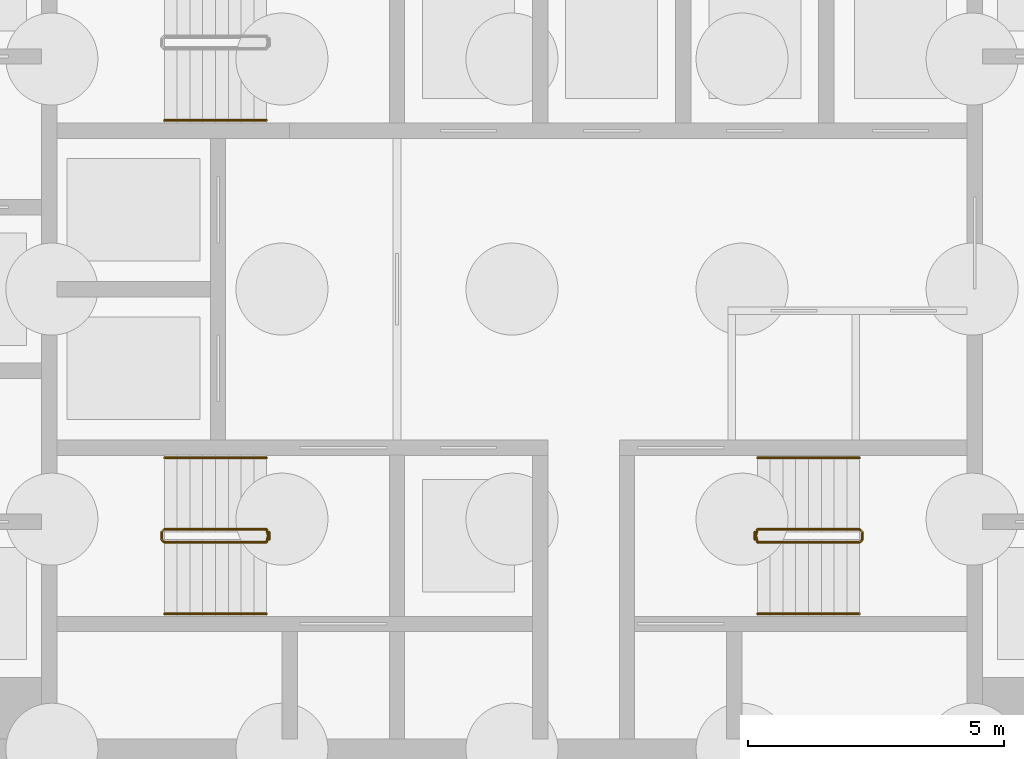
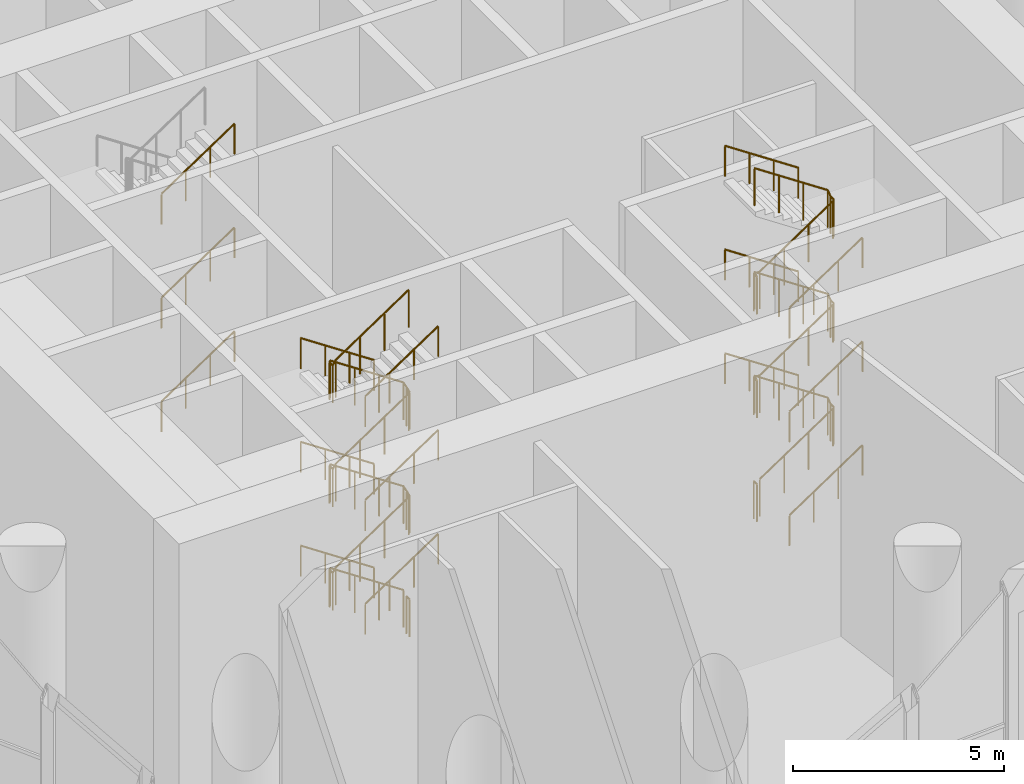
# One storey, part 18 of 20: 19 railings.
"""IFC4 building model written with IfcOpenShell, lengths in metres."""

from ifc_helpers import new_model, si_unit, direction, frame, origin, origin_2d, place, context, subcontext, project, spatial, circle, extrude, material, type_object, element, save


model = new_model("IFC4")

# Units and contexts
model_context = context("Model", 3, precision=1e-05, world=origin(), true_north=direction((0.0, 1.0)))
body_context = subcontext(model_context, "Body", "Model", "MODEL_VIEW")
ifc_project = project(units=[si_unit("LENGTHUNIT", "METRE"), si_unit("AREAUNIT", "SQUARE_METRE"), si_unit("VOLUMEUNIT", "CUBIC_METRE"), si_unit("PLANEANGLEUNIT", "RADIAN"), si_unit("MASSUNIT", "GRAM", prefix="KILO")], contexts=[model_context])

# Site, building, storey
site_placement = place(None, origin())
site = spatial("IfcSite", under=ifc_project, at=site_placement, CompositionType="ELEMENT")
building_placement = place(site_placement, origin())
building = spatial("IfcBuilding", under=site, at=building_placement, Name="Tracery Tower", CompositionType="ELEMENT")
storey_placement = place(building_placement, origin())
storey = spatial("IfcBuildingStorey", under=building, at=storey_placement, Name="L00", CompositionType="ELEMENT", Elevation=0.0)

# Railings
ifc_material_1 = material(Name="Stainless steel and laminated glass", Category="steel")
railing_type_1 = type_object("IfcRailingType", Name="Stair guard 1100", PredefinedType="GUARDRAIL", material=ifc_material_1)
railing_1_placement = place(storey_placement, frame((-4.800048828125, -4.699951171875, 0.166748046875)))
element("IfcRailing", 1, at=railing_1_placement, inside=storey, type_object=railing_type_1, Name="L00 stair ST1 guard 1", PredefinedType="GUARDRAIL", context=body_context, shape_type="SweptSolid", body=[
    extrude(circle(Radius=0.02392578125, at=origin_2d()), frame((0.0, 0.0, 1.076171875), z_axis=(-0.832065920246, 0.0, 0.554676756648), x_axis=(0.0, -1.0, 0.0)), (0.0, 0.0, 1.0), 2.403564453125),
    extrude(circle(Radius=0.02392578125, at=origin_2d()), frame((-2.0, 0.0, 2.4091796875), z_axis=(-0.707106781187, -0.707106781187, 0.0), x_axis=(0.707106781187, -0.707106781187, 0.0)), (0.0, 0.0, 1.0), 0.07080078125),
    extrude(circle(Radius=0.02392578125, at=origin_2d()), frame((-2.050048828125, -0.050048828125, 2.4091796875), z_axis=(0.0, -1.0, 0.0), x_axis=(1.0, 0.0, 0.0)), (0.0, 0.0, 1.0), 0.14990234375),
    extrude(circle(Radius=0.02392578125, at=origin_2d()), frame((-2.050048828125, -0.199951171875, 2.4091796875), z_axis=(0.27628659633, -0.27628659633, 0.920506074601), x_axis=(0.707106781187, 0.707106781187, 0.0)), (0.0, 0.0, 1.0), 0.18115234375),
    extrude(circle(Radius=0.02392578125, at=origin_2d()), frame((-2.0, -0.25, 2.576171875), z_axis=(0.832065920246, 0.0, 0.554676756648), x_axis=(0.0, 1.0, 0.0)), (0.0, 0.0, 1.0), 2.403564453125),
    extrude(circle(Radius=0.02392578125, at=origin_2d()), frame((0.0, -0.25, 3.9091796875), z_axis=(0.242814311512, 0.970072785993, 0.0), x_axis=(-0.970072785993, 0.242814311512, 0.0)), (0.0, 0.0, 1.0), 0.2060546875),
    extrude(circle(Radius=0.02392578125, at=origin_2d()), frame((0.050048828125, -0.050048828125, 3.9091796875), z_axis=(0.0, -1.0, 0.0), x_axis=(1.0, 0.0, 0.0)), (0.0, 0.0, 1.0), 0.14990234375),
    extrude(circle(Radius=0.02392578125, at=origin_2d()), frame((0.050048828125, -0.199951171875, 3.9091796875), z_axis=(-0.188775798145, 0.754182335027, 0.628945707965), x_axis=(-0.970072785993, -0.242814311512, 0.0)), (0.0, 0.0, 1.0), 0.26513671875),
    extrude(circle(Radius=0.02392578125, at=origin_2d()), frame((0.0, 0.0, 4.076171875), z_axis=(-0.832065920246, 0.0, 0.554676756648), x_axis=(0.0, -1.0, 0.0)), (0.0, 0.0, 1.0), 2.403564453125),
    extrude(circle(Radius=0.02392578125, at=origin_2d()), frame((-2.0, 0.0, 5.4091796875), z_axis=(-0.707106781187, -0.707106781187, 0.0), x_axis=(0.707106781187, -0.707106781187, 0.0)), (0.0, 0.0, 1.0), 0.07080078125),
    extrude(circle(Radius=0.02392578125, at=origin_2d()), frame((-2.050048828125, -0.050048828125, 5.4091796875), z_axis=(0.0, -1.0, 0.0), x_axis=(1.0, 0.0, 0.0)), (0.0, 0.0, 1.0), 0.14990234375),
    extrude(circle(Radius=0.02392578125, at=origin_2d()), frame((-2.050048828125, -0.199951171875, 5.4091796875), z_axis=(0.27628659633, -0.27628659633, 0.920506074601), x_axis=(0.707106781187, 0.707106781187, 0.0)), (0.0, 0.0, 1.0), 0.18115234375),
    extrude(circle(Radius=0.02392578125, at=origin_2d()), frame((-2.0, -0.25, 5.576171875), z_axis=(0.832065920246, 0.0, 0.554676756648), x_axis=(0.0, 1.0, 0.0)), (0.0, 0.0, 1.0), 2.403564453125),
    extrude(circle(Radius=0.02392578125, at=origin_2d()), frame((0.0, -0.25, 6.9091796875), z_axis=(0.242814311512, 0.970072785993, 0.0), x_axis=(-0.970072785993, 0.242814311512, 0.0)), (0.0, 0.0, 1.0), 0.2060546875),
    extrude(circle(Radius=0.02392578125, at=origin_2d()), frame((0.050048828125, -0.050048828125, 6.9091796875), z_axis=(0.0, -1.0, 0.0), x_axis=(1.0, 0.0, 0.0)), (0.0, 0.0, 1.0), 0.14990234375),
    extrude(circle(Radius=0.02392578125, at=origin_2d()), frame((0.050048828125, -0.199951171875, 6.9091796875), z_axis=(-0.188775798145, 0.754182335027, 0.628945707965), x_axis=(-0.970072785993, -0.242814311512, 0.0)), (0.0, 0.0, 1.0), 0.26513671875),
    extrude(circle(Radius=0.02392578125, at=origin_2d()), frame((0.0, 0.0, 7.076171875), z_axis=(-0.832065920246, 0.0, 0.554676756648), x_axis=(0.0, -1.0, 0.0)), (0.0, 0.0, 1.0), 2.403564453125),
    extrude(circle(Radius=0.02392578125, at=origin_2d()), frame((-2.0, 0.0, 8.4091796875), z_axis=(-0.707106781187, -0.707106781187, 0.0), x_axis=(0.707106781187, -0.707106781187, 0.0)), (0.0, 0.0, 1.0), 0.07080078125),
    extrude(circle(Radius=0.02392578125, at=origin_2d()), frame((-2.050048828125, -0.050048828125, 8.4091796875), z_axis=(0.0, -1.0, 0.0), x_axis=(1.0, 0.0, 0.0)), (0.0, 0.0, 1.0), 0.14990234375),
    extrude(circle(Radius=0.02392578125, at=origin_2d()), frame((-2.050048828125, -0.199951171875, 8.4091796875), z_axis=(0.27628659633, -0.27628659633, 0.920506074601), x_axis=(0.707106781187, 0.707106781187, 0.0)), (0.0, 0.0, 1.0), 0.18115234375),
    extrude(circle(Radius=0.02392578125, at=origin_2d()), frame((-2.0, -0.25, 8.576171875), z_axis=(0.832065920246, 0.0, 0.554676756648), x_axis=(0.0, 1.0, 0.0)), (0.0, 0.0, 1.0), 2.403564453125),
    extrude(circle(Radius=0.02099609375, at=origin_2d()), origin(), (0.0, 0.0, 1.0), 1.052001953125),
    extrude(circle(Radius=0.02099609375, at=origin_2d()), frame((-0.666748046875, 0.0, 0.4443359375)), (0.0, 0.0, 1.0), 1.052001953125),
    extrude(circle(Radius=0.02099609375, at=origin_2d()), frame((-1.333251953125, 0.0, 0.888916015625)), (0.0, 0.0, 1.0), 1.052001953125),
    extrude(circle(Radius=0.02099609375, at=origin_2d()), frame((-2.0, 0.0, 1.333251953125)), (0.0, 0.0, 1.0), 1.052001953125),
    extrude(circle(Radius=0.02099609375, at=origin_2d()), frame((-2.050048828125, -0.050048828125, 1.333251953125)), (0.0, 0.0, 1.0), 1.052001953125),
    extrude(circle(Radius=0.02099609375, at=origin_2d()), frame((-2.050048828125, -0.199951171875, 1.333251953125)), (0.0, 0.0, 1.0), 1.052001953125),
    extrude(circle(Radius=0.02099609375, at=origin_2d()), frame((-2.0, -0.25, 1.5)), (0.0, 0.0, 1.0), 1.052001953125),
    extrude(circle(Radius=0.02099609375, at=origin_2d()), frame((-1.333251953125, -0.25, 1.9443359375)), (0.0, 0.0, 1.0), 1.052001953125),
    extrude(circle(Radius=0.02099609375, at=origin_2d()), frame((-0.666748046875, -0.25, 2.388916015625)), (0.0, 0.0, 1.0), 1.052001953125),
    extrude(circle(Radius=0.02099609375, at=origin_2d()), frame((0.0, -0.25, 2.833251953125)), (0.0, 0.0, 1.0), 1.052001953125),
    extrude(circle(Radius=0.02099609375, at=origin_2d()), frame((0.050048828125, -0.050048828125, 2.833251953125)), (0.0, 0.0, 1.0), 1.052001953125),
    extrude(circle(Radius=0.02099609375, at=origin_2d()), frame((0.050048828125, -0.199951171875, 2.833251953125)), (0.0, 0.0, 1.0), 1.052001953125),
    extrude(circle(Radius=0.02099609375, at=origin_2d()), frame((0.0, 0.0, 3.0)), (0.0, 0.0, 1.0), 1.052001953125),
    extrude(circle(Radius=0.02099609375, at=origin_2d()), frame((-0.666748046875, 0.0, 3.4443359375)), (0.0, 0.0, 1.0), 1.052001953125),
    extrude(circle(Radius=0.02099609375, at=origin_2d()), frame((-1.333251953125, 0.0, 3.888916015625)), (0.0, 0.0, 1.0), 1.052001953125),
    extrude(circle(Radius=0.02099609375, at=origin_2d()), frame((-2.0, 0.0, 4.333251953125)), (0.0, 0.0, 1.0), 1.052001953125),
    extrude(circle(Radius=0.02099609375, at=origin_2d()), frame((-2.050048828125, -0.050048828125, 4.333251953125)), (0.0, 0.0, 1.0), 1.052001953125),
    extrude(circle(Radius=0.02099609375, at=origin_2d()), frame((-2.050048828125, -0.199951171875, 4.333251953125)), (0.0, 0.0, 1.0), 1.052001953125),
    extrude(circle(Radius=0.02099609375, at=origin_2d()), frame((-2.0, -0.25, 4.5)), (0.0, 0.0, 1.0), 1.052001953125),
    extrude(circle(Radius=0.02099609375, at=origin_2d()), frame((-1.333251953125, -0.25, 4.9443359375)), (0.0, 0.0, 1.0), 1.052001953125),
    extrude(circle(Radius=0.02099609375, at=origin_2d()), frame((-0.666748046875, -0.25, 5.388916015625)), (0.0, 0.0, 1.0), 1.052001953125),
    extrude(circle(Radius=0.02099609375, at=origin_2d()), frame((0.0, -0.25, 5.833251953125)), (0.0, 0.0, 1.0), 1.052001953125),
    extrude(circle(Radius=0.02099609375, at=origin_2d()), frame((0.050048828125, -0.050048828125, 5.833251953125)), (0.0, 0.0, 1.0), 1.052001953125),
    extrude(circle(Radius=0.02099609375, at=origin_2d()), frame((0.050048828125, -0.199951171875, 5.833251953125)), (0.0, 0.0, 1.0), 1.052001953125),
    extrude(circle(Radius=0.02099609375, at=origin_2d()), frame((0.0, 0.0, 6.0)), (0.0, 0.0, 1.0), 1.052001953125),
    extrude(circle(Radius=0.02099609375, at=origin_2d()), frame((-0.666748046875, 0.0, 6.4443359375)), (0.0, 0.0, 1.0), 1.052001953125),
    extrude(circle(Radius=0.02099609375, at=origin_2d()), frame((-1.333251953125, 0.0, 6.888916015625)), (0.0, 0.0, 1.0), 1.052001953125),
    extrude(circle(Radius=0.02099609375, at=origin_2d()), frame((-2.0, 0.0, 7.333251953125)), (0.0, 0.0, 1.0), 1.052001953125),
    extrude(circle(Radius=0.02099609375, at=origin_2d()), frame((-2.050048828125, -0.050048828125, 7.333251953125)), (0.0, 0.0, 1.0), 1.052001953125),
    extrude(circle(Radius=0.02099609375, at=origin_2d()), frame((-2.050048828125, -0.199951171875, 7.333251953125)), (0.0, 0.0, 1.0), 1.052001953125),
    extrude(circle(Radius=0.02099609375, at=origin_2d()), frame((-2.0, -0.25, 7.5)), (0.0, 0.0, 1.0), 1.052001953125),
    extrude(circle(Radius=0.02099609375, at=origin_2d()), frame((-1.333251953125, -0.25, 7.9443359375)), (0.0, 0.0, 1.0), 1.052001953125),
    extrude(circle(Radius=0.02099609375, at=origin_2d()), frame((-0.666748046875, -0.25, 8.388916015625)), (0.0, 0.0, 1.0), 1.052001953125),
    extrude(circle(Radius=0.02099609375, at=origin_2d()), frame((0.0, -0.25, 8.833251953125)), (0.0, 0.0, 1.0), 1.052001953125),
])
railing_2_placement = place(storey_placement, frame((-4.75, -4.75, 0.0)))
element("IfcRailing", 2, at=railing_2_placement, inside=storey, type_object=railing_type_1, Name="L00 stair ST1 guard 2", PredefinedType="GUARDRAIL", context=body_context, shape_type="SweptSolid", body=[
    extrude(circle(Radius=0.02392578125, at=origin_2d()), frame((0.0, 0.0, 1.076171875), z_axis=(0.0, -1.0, 0.0), x_axis=(1.0, 0.0, 0.0)), (0.0, 0.0, 1.0), 0.14990234375),
    extrude(circle(Radius=0.02099609375, at=origin_2d()), origin(), (0.0, 0.0, 1.0), 1.052001953125),
    extrude(circle(Radius=0.02099609375, at=origin_2d()), frame((0.0, -0.14990234375, 0.0)), (0.0, 0.0, 1.0), 1.052001953125),
])
railing_3_placement = place(storey_placement, frame((4.800048828125, -4.949951171875, 0.166748046875)))
element("IfcRailing", 3, at=railing_3_placement, inside=storey, type_object=railing_type_1, Name="L00 stair ST2 guard 1", PredefinedType="GUARDRAIL", context=body_context, shape_type="SweptSolid", body=[
    extrude(circle(Radius=0.02392578125, at=origin_2d()), frame((0.0, 0.0, 1.076171875), z_axis=(0.832065920246, 0.0, 0.554676756648), x_axis=(0.0, 1.0, 0.0)), (0.0, 0.0, 1.0), 2.403564453125),
    extrude(circle(Radius=0.02392578125, at=origin_2d()), frame((2.0, 0.0, 2.4091796875), z_axis=(0.707106781187, 0.707106781187, 0.0), x_axis=(-0.707106781187, 0.707106781187, 0.0)), (0.0, 0.0, 1.0), 0.07080078125),
    extrude(circle(Radius=0.02392578125, at=origin_2d()), frame((2.050048828125, 0.050048828125, 2.4091796875), z_axis=(0.0, 1.0, 0.0), x_axis=(-1.0, 0.0, 0.0)), (0.0, 0.0, 1.0), 0.14990234375),
    extrude(circle(Radius=0.02392578125, at=origin_2d()), frame((2.050048828125, 0.199951171875, 2.4091796875), z_axis=(-0.27628659633, 0.27628659633, 0.920506074601), x_axis=(-0.707106781187, -0.707106781187, 0.0)), (0.0, 0.0, 1.0), 0.18115234375),
    extrude(circle(Radius=0.02392578125, at=origin_2d()), frame((2.0, 0.25, 2.576171875), z_axis=(-0.832065920246, 0.0, 0.554676756648), x_axis=(0.0, -1.0, 0.0)), (0.0, 0.0, 1.0), 2.403564453125),
    extrude(circle(Radius=0.02392578125, at=origin_2d()), frame((0.0, 0.25, 3.9091796875), z_axis=(-0.242814311512, -0.970072785993, 0.0), x_axis=(0.970072785993, -0.242814311512, 0.0)), (0.0, 0.0, 1.0), 0.2060546875),
    extrude(circle(Radius=0.02392578125, at=origin_2d()), frame((-0.050048828125, 0.050048828125, 3.9091796875), z_axis=(0.0, 1.0, 0.0), x_axis=(-1.0, 0.0, 0.0)), (0.0, 0.0, 1.0), 0.14990234375),
    extrude(circle(Radius=0.02392578125, at=origin_2d()), frame((-0.050048828125, 0.199951171875, 3.9091796875), z_axis=(0.188775798145, -0.754182335027, 0.628945707965), x_axis=(0.970072785993, 0.242814311512, 0.0)), (0.0, 0.0, 1.0), 0.26513671875),
    extrude(circle(Radius=0.02392578125, at=origin_2d()), frame((0.0, 0.0, 4.076171875), z_axis=(0.832065920246, 0.0, 0.554676756648), x_axis=(0.0, 1.0, 0.0)), (0.0, 0.0, 1.0), 2.403564453125),
    extrude(circle(Radius=0.02392578125, at=origin_2d()), frame((2.0, 0.0, 5.4091796875), z_axis=(0.707106781187, 0.707106781187, 0.0), x_axis=(-0.707106781187, 0.707106781187, 0.0)), (0.0, 0.0, 1.0), 0.07080078125),
    extrude(circle(Radius=0.02392578125, at=origin_2d()), frame((2.050048828125, 0.050048828125, 5.4091796875), z_axis=(0.0, 1.0, 0.0), x_axis=(-1.0, 0.0, 0.0)), (0.0, 0.0, 1.0), 0.14990234375),
    extrude(circle(Radius=0.02392578125, at=origin_2d()), frame((2.050048828125, 0.199951171875, 5.4091796875), z_axis=(-0.27628659633, 0.27628659633, 0.920506074601), x_axis=(-0.707106781187, -0.707106781187, 0.0)), (0.0, 0.0, 1.0), 0.18115234375),
    extrude(circle(Radius=0.02392578125, at=origin_2d()), frame((2.0, 0.25, 5.576171875), z_axis=(-0.832065920246, 0.0, 0.554676756648), x_axis=(0.0, -1.0, 0.0)), (0.0, 0.0, 1.0), 2.403564453125),
    extrude(circle(Radius=0.02392578125, at=origin_2d()), frame((0.0, 0.25, 6.9091796875), z_axis=(-0.242814311512, -0.970072785993, 0.0), x_axis=(0.970072785993, -0.242814311512, 0.0)), (0.0, 0.0, 1.0), 0.2060546875),
    extrude(circle(Radius=0.02392578125, at=origin_2d()), frame((-0.050048828125, 0.050048828125, 6.9091796875), z_axis=(0.0, 1.0, 0.0), x_axis=(-1.0, 0.0, 0.0)), (0.0, 0.0, 1.0), 0.14990234375),
    extrude(circle(Radius=0.02392578125, at=origin_2d()), frame((-0.050048828125, 0.199951171875, 6.9091796875), z_axis=(0.188775798145, -0.754182335027, 0.628945707965), x_axis=(0.970072785993, 0.242814311512, 0.0)), (0.0, 0.0, 1.0), 0.26513671875),
    extrude(circle(Radius=0.02392578125, at=origin_2d()), frame((0.0, 0.0, 7.076171875), z_axis=(0.832065920246, 0.0, 0.554676756648), x_axis=(0.0, 1.0, 0.0)), (0.0, 0.0, 1.0), 2.403564453125),
    extrude(circle(Radius=0.02392578125, at=origin_2d()), frame((2.0, 0.0, 8.4091796875), z_axis=(0.707106781187, 0.707106781187, 0.0), x_axis=(-0.707106781187, 0.707106781187, 0.0)), (0.0, 0.0, 1.0), 0.07080078125),
    extrude(circle(Radius=0.02392578125, at=origin_2d()), frame((2.050048828125, 0.050048828125, 8.4091796875), z_axis=(0.0, 1.0, 0.0), x_axis=(-1.0, 0.0, 0.0)), (0.0, 0.0, 1.0), 0.14990234375),
    extrude(circle(Radius=0.02392578125, at=origin_2d()), frame((2.050048828125, 0.199951171875, 8.4091796875), z_axis=(-0.27628659633, 0.27628659633, 0.920506074601), x_axis=(-0.707106781187, -0.707106781187, 0.0)), (0.0, 0.0, 1.0), 0.18115234375),
    extrude(circle(Radius=0.02392578125, at=origin_2d()), frame((2.0, 0.25, 8.576171875), z_axis=(-0.832065920246, 0.0, 0.554676756648), x_axis=(0.0, -1.0, 0.0)), (0.0, 0.0, 1.0), 2.403564453125),
    extrude(circle(Radius=0.02099609375, at=origin_2d()), origin(), (0.0, 0.0, 1.0), 1.052001953125),
    extrude(circle(Radius=0.02099609375, at=origin_2d()), frame((0.666748046875, 0.0, 0.4443359375)), (0.0, 0.0, 1.0), 1.052001953125),
    extrude(circle(Radius=0.02099609375, at=origin_2d()), frame((1.333251953125, 0.0, 0.888916015625)), (0.0, 0.0, 1.0), 1.052001953125),
    extrude(circle(Radius=0.02099609375, at=origin_2d()), frame((2.0, 0.0, 1.333251953125)), (0.0, 0.0, 1.0), 1.052001953125),
    extrude(circle(Radius=0.02099609375, at=origin_2d()), frame((2.050048828125, 0.050048828125, 1.333251953125)), (0.0, 0.0, 1.0), 1.052001953125),
    extrude(circle(Radius=0.02099609375, at=origin_2d()), frame((2.050048828125, 0.199951171875, 1.333251953125)), (0.0, 0.0, 1.0), 1.052001953125),
    extrude(circle(Radius=0.02099609375, at=origin_2d()), frame((2.0, 0.25, 1.5)), (0.0, 0.0, 1.0), 1.052001953125),
    extrude(circle(Radius=0.02099609375, at=origin_2d()), frame((1.333251953125, 0.25, 1.9443359375)), (0.0, 0.0, 1.0), 1.052001953125),
    extrude(circle(Radius=0.02099609375, at=origin_2d()), frame((0.666748046875, 0.25, 2.388916015625)), (0.0, 0.0, 1.0), 1.052001953125),
    extrude(circle(Radius=0.02099609375, at=origin_2d()), frame((0.0, 0.25, 2.833251953125)), (0.0, 0.0, 1.0), 1.052001953125),
    extrude(circle(Radius=0.02099609375, at=origin_2d()), frame((-0.050048828125, 0.050048828125, 2.833251953125)), (0.0, 0.0, 1.0), 1.052001953125),
    extrude(circle(Radius=0.02099609375, at=origin_2d()), frame((-0.050048828125, 0.199951171875, 2.833251953125)), (0.0, 0.0, 1.0), 1.052001953125),
    extrude(circle(Radius=0.02099609375, at=origin_2d()), frame((0.0, 0.0, 3.0)), (0.0, 0.0, 1.0), 1.052001953125),
    extrude(circle(Radius=0.02099609375, at=origin_2d()), frame((0.666748046875, 0.0, 3.4443359375)), (0.0, 0.0, 1.0), 1.052001953125),
    extrude(circle(Radius=0.02099609375, at=origin_2d()), frame((1.333251953125, 0.0, 3.888916015625)), (0.0, 0.0, 1.0), 1.052001953125),
    extrude(circle(Radius=0.02099609375, at=origin_2d()), frame((2.0, 0.0, 4.333251953125)), (0.0, 0.0, 1.0), 1.052001953125),
    extrude(circle(Radius=0.02099609375, at=origin_2d()), frame((2.050048828125, 0.050048828125, 4.333251953125)), (0.0, 0.0, 1.0), 1.052001953125),
    extrude(circle(Radius=0.02099609375, at=origin_2d()), frame((2.050048828125, 0.199951171875, 4.333251953125)), (0.0, 0.0, 1.0), 1.052001953125),
    extrude(circle(Radius=0.02099609375, at=origin_2d()), frame((2.0, 0.25, 4.5)), (0.0, 0.0, 1.0), 1.052001953125),
    extrude(circle(Radius=0.02099609375, at=origin_2d()), frame((1.333251953125, 0.25, 4.9443359375)), (0.0, 0.0, 1.0), 1.052001953125),
    extrude(circle(Radius=0.02099609375, at=origin_2d()), frame((0.666748046875, 0.25, 5.388916015625)), (0.0, 0.0, 1.0), 1.052001953125),
    extrude(circle(Radius=0.02099609375, at=origin_2d()), frame((0.0, 0.25, 5.833251953125)), (0.0, 0.0, 1.0), 1.052001953125),
    extrude(circle(Radius=0.02099609375, at=origin_2d()), frame((-0.050048828125, 0.050048828125, 5.833251953125)), (0.0, 0.0, 1.0), 1.052001953125),
    extrude(circle(Radius=0.02099609375, at=origin_2d()), frame((-0.050048828125, 0.199951171875, 5.833251953125)), (0.0, 0.0, 1.0), 1.052001953125),
    extrude(circle(Radius=0.02099609375, at=origin_2d()), frame((0.0, 0.0, 6.0)), (0.0, 0.0, 1.0), 1.052001953125),
    extrude(circle(Radius=0.02099609375, at=origin_2d()), frame((0.666748046875, 0.0, 6.4443359375)), (0.0, 0.0, 1.0), 1.052001953125),
    extrude(circle(Radius=0.02099609375, at=origin_2d()), frame((1.333251953125, 0.0, 6.888916015625)), (0.0, 0.0, 1.0), 1.052001953125),
    extrude(circle(Radius=0.02099609375, at=origin_2d()), frame((2.0, 0.0, 7.333251953125)), (0.0, 0.0, 1.0), 1.052001953125),
    extrude(circle(Radius=0.02099609375, at=origin_2d()), frame((2.050048828125, 0.050048828125, 7.333251953125)), (0.0, 0.0, 1.0), 1.052001953125),
    extrude(circle(Radius=0.02099609375, at=origin_2d()), frame((2.050048828125, 0.199951171875, 7.333251953125)), (0.0, 0.0, 1.0), 1.052001953125),
    extrude(circle(Radius=0.02099609375, at=origin_2d()), frame((2.0, 0.25, 7.5)), (0.0, 0.0, 1.0), 1.052001953125),
    extrude(circle(Radius=0.02099609375, at=origin_2d()), frame((1.333251953125, 0.25, 7.9443359375)), (0.0, 0.0, 1.0), 1.052001953125),
    extrude(circle(Radius=0.02099609375, at=origin_2d()), frame((0.666748046875, 0.25, 8.388916015625)), (0.0, 0.0, 1.0), 1.052001953125),
    extrude(circle(Radius=0.02099609375, at=origin_2d()), frame((0.0, 0.25, 8.833251953125)), (0.0, 0.0, 1.0), 1.052001953125),
])
railing_4_placement = place(storey_placement, frame((4.75, -4.89990234375, 0.0)))
element("IfcRailing", 4, at=railing_4_placement, inside=storey, type_object=railing_type_1, Name="L00 stair ST2 guard 2", PredefinedType="GUARDRAIL", context=body_context, shape_type="SweptSolid", body=[
    extrude(circle(Radius=0.02392578125, at=origin_2d()), frame((0.0, 0.0, 1.076171875), z_axis=(0.0, 1.0, 0.0), x_axis=(-1.0, 0.0, 0.0)), (0.0, 0.0, 1.0), 0.14990234375),
    extrude(circle(Radius=0.02099609375, at=origin_2d()), origin(), (0.0, 0.0, 1.0), 1.052001953125),
    extrude(circle(Radius=0.02099609375, at=origin_2d()), frame((0.0, 0.14990234375, 0.0)), (0.0, 0.0, 1.0), 1.052001953125),
])
ifc_material_2 = material(Name="Stainless steel and laminated glass", Category="steel")
railing_type_2 = type_object("IfcRailingType", Name="Stair handrail 900", PredefinedType="HANDRAIL", material=ifc_material_2)
railing_5_placement = place(storey_placement, frame((-4.800048828125, -3.300048828125, 0.166748046875)))
element("IfcRailing", 5, at=railing_5_placement, inside=storey, type_object=railing_type_2, Name="L00 stair ST1 handrail 1", PredefinedType="HANDRAIL", context=body_context, shape_type="SweptSolid", body=[
    extrude(circle(Radius=0.02392578125, at=origin_2d()), frame((0.0, 0.0, 0.8759765625), z_axis=(-0.832065920246, 0.0, 0.554676756648), x_axis=(0.0, -1.0, 0.0)), (0.0, 0.0, 1.0), 2.403564453125),
    extrude(circle(Radius=0.02099609375, at=origin_2d()), origin(), (0.0, 0.0, 1.0), 0.851806640625),
    extrude(circle(Radius=0.02099609375, at=origin_2d()), frame((-0.666748046875, 0.0, 0.4443359375)), (0.0, 0.0, 1.0), 0.851806640625),
    extrude(circle(Radius=0.02099609375, at=origin_2d()), frame((-1.333251953125, 0.0, 0.888916015625)), (0.0, 0.0, 1.0), 0.851806640625),
    extrude(circle(Radius=0.02099609375, at=origin_2d()), frame((-2.0, 0.0, 1.333251953125)), (0.0, 0.0, 1.0), 0.851806640625),
])
railing_6_placement = place(storey_placement, frame((-6.800048828125, -6.35009765625, 1.666748046875)))
element("IfcRailing", 6, at=railing_6_placement, inside=storey, type_object=railing_type_2, Name="L00 stair ST1 handrail 2", PredefinedType="HANDRAIL", context=body_context, shape_type="SweptSolid", body=[
    extrude(circle(Radius=0.02392578125, at=origin_2d()), frame((0.0, 0.0, 0.8759765625), z_axis=(0.832065920246, 0.0, 0.554676756648), x_axis=(0.0, 1.0, 0.0)), (0.0, 0.0, 1.0), 2.403564453125),
    extrude(circle(Radius=0.02099609375, at=origin_2d()), origin(), (0.0, 0.0, 1.0), 0.851806640625),
    extrude(circle(Radius=0.02099609375, at=origin_2d()), frame((0.666748046875, 0.0, 0.4443359375)), (0.0, 0.0, 1.0), 0.851806640625),
    extrude(circle(Radius=0.02099609375, at=origin_2d()), frame((1.333251953125, 0.0, 0.888916015625)), (0.0, 0.0, 1.0), 0.851806640625),
    extrude(circle(Radius=0.02099609375, at=origin_2d()), frame((2.0, 0.0, 1.333251953125)), (0.0, 0.0, 1.0), 0.851806640625),
])
railing_7_placement = place(storey_placement, frame((-4.800048828125, -3.300048828125, 3.166748046875)))
element("IfcRailing", 7, at=railing_7_placement, inside=storey, type_object=railing_type_2, Name="L00 stair ST1 handrail 3", PredefinedType="HANDRAIL", context=body_context, shape_type="SweptSolid", body=[
    extrude(circle(Radius=0.02392578125, at=origin_2d()), frame((0.0, 0.0, 0.8759765625), z_axis=(-0.832065920246, 0.0, 0.554676756648), x_axis=(0.0, -1.0, 0.0)), (0.0, 0.0, 1.0), 2.403564453125),
    extrude(circle(Radius=0.02099609375, at=origin_2d()), origin(), (0.0, 0.0, 1.0), 0.851806640625),
    extrude(circle(Radius=0.02099609375, at=origin_2d()), frame((-0.666748046875, 0.0, 0.4443359375)), (0.0, 0.0, 1.0), 0.851806640625),
    extrude(circle(Radius=0.02099609375, at=origin_2d()), frame((-1.333251953125, 0.0, 0.888916015625)), (0.0, 0.0, 1.0), 0.851806640625),
    extrude(circle(Radius=0.02099609375, at=origin_2d()), frame((-2.0, 0.0, 1.333251953125)), (0.0, 0.0, 1.0), 0.851806640625),
])
railing_8_placement = place(storey_placement, frame((-6.800048828125, -6.35009765625, 4.666748046875)))
element("IfcRailing", 8, at=railing_8_placement, inside=storey, type_object=railing_type_2, Name="L00 stair ST1 handrail 4", PredefinedType="HANDRAIL", context=body_context, shape_type="SweptSolid", body=[
    extrude(circle(Radius=0.02392578125, at=origin_2d()), frame((0.0, 0.0, 0.8759765625), z_axis=(0.832065920246, 0.0, 0.554676756648), x_axis=(0.0, 1.0, 0.0)), (0.0, 0.0, 1.0), 2.403564453125),
    extrude(circle(Radius=0.02099609375, at=origin_2d()), origin(), (0.0, 0.0, 1.0), 0.851806640625),
    extrude(circle(Radius=0.02099609375, at=origin_2d()), frame((0.666748046875, 0.0, 0.4443359375)), (0.0, 0.0, 1.0), 0.851806640625),
    extrude(circle(Radius=0.02099609375, at=origin_2d()), frame((1.333251953125, 0.0, 0.888916015625)), (0.0, 0.0, 1.0), 0.851806640625),
    extrude(circle(Radius=0.02099609375, at=origin_2d()), frame((2.0, 0.0, 1.333251953125)), (0.0, 0.0, 1.0), 0.851806640625),
])
railing_9_placement = place(storey_placement, frame((-4.800048828125, -3.300048828125, 6.166748046875)))
element("IfcRailing", 9, at=railing_9_placement, inside=storey, type_object=railing_type_2, Name="L00 stair ST1 handrail 5", PredefinedType="HANDRAIL", context=body_context, shape_type="SweptSolid", body=[
    extrude(circle(Radius=0.02392578125, at=origin_2d()), frame((0.0, 0.0, 0.8759765625), z_axis=(-0.832065920246, 0.0, 0.554676756648), x_axis=(0.0, -1.0, 0.0)), (0.0, 0.0, 1.0), 2.403564453125),
    extrude(circle(Radius=0.02099609375, at=origin_2d()), origin(), (0.0, 0.0, 1.0), 0.851806640625),
    extrude(circle(Radius=0.02099609375, at=origin_2d()), frame((-0.666748046875, 0.0, 0.4443359375)), (0.0, 0.0, 1.0), 0.851806640625),
    extrude(circle(Radius=0.02099609375, at=origin_2d()), frame((-1.333251953125, 0.0, 0.888916015625)), (0.0, 0.0, 1.0), 0.851806640625),
    extrude(circle(Radius=0.02099609375, at=origin_2d()), frame((-2.0, 0.0, 1.333251953125)), (0.0, 0.0, 1.0), 0.851806640625),
])
for number, where, name in (
    (10, (-6.800048828125, -6.35009765625, 7.666748046875), "L00 stair ST1 handrail 6"),
    (11, (-6.800048828125, 3.300048828125, 1.666748046875), "L00 stair ST3 handrail 2"),
    (12, (-6.800048828125, 3.300048828125, 4.666748046875), "L00 stair ST3 handrail 4"),
    (13, (-6.800048828125, 3.300048828125, 7.666748046875), "L00 stair ST3 handrail 6"),
    (14, (4.800048828125, -6.35009765625, 0.166748046875), "L00 stair ST2 handrail 1"),
):
    element("IfcRailing", number, at=place(storey_placement, frame(where)), inside=storey, type_object=railing_type_2, Name=name, PredefinedType="HANDRAIL", context=body_context, shape_type="SweptSolid", body=[
        extrude(circle(Radius=0.02392578125, at=origin_2d()), frame((0.0, 0.0, 0.8759765625), z_axis=(0.832065920246, 0.0, 0.554676756648), x_axis=(0.0, 1.0, 0.0)), (0.0, 0.0, 1.0), 2.403564453125),
        extrude(circle(Radius=0.02099609375, at=origin_2d()), origin(), (0.0, 0.0, 1.0), 0.851806640625),
        extrude(circle(Radius=0.02099609375, at=origin_2d()), frame((0.666748046875, 0.0, 0.4443359375)), (0.0, 0.0, 1.0), 0.851806640625),
        extrude(circle(Radius=0.02099609375, at=origin_2d()), frame((1.333251953125, 0.0, 0.888916015625)), (0.0, 0.0, 1.0), 0.851806640625),
        extrude(circle(Radius=0.02099609375, at=origin_2d()), frame((2.0, 0.0, 1.333251953125)), (0.0, 0.0, 1.0), 0.851806640625),
    ])
railing_10_placement = place(storey_placement, frame((6.800048828125, -3.300048828125, 1.666748046875)))
element("IfcRailing", 15, at=railing_10_placement, inside=storey, type_object=railing_type_2, Name="L00 stair ST2 handrail 2", PredefinedType="HANDRAIL", context=body_context, shape_type="SweptSolid", body=[
    extrude(circle(Radius=0.02392578125, at=origin_2d()), frame((0.0, 0.0, 0.8759765625), z_axis=(-0.832065920246, 0.0, 0.554676756648), x_axis=(0.0, -1.0, 0.0)), (0.0, 0.0, 1.0), 2.403564453125),
    extrude(circle(Radius=0.02099609375, at=origin_2d()), origin(), (0.0, 0.0, 1.0), 0.851806640625),
    extrude(circle(Radius=0.02099609375, at=origin_2d()), frame((-0.666748046875, 0.0, 0.4443359375)), (0.0, 0.0, 1.0), 0.851806640625),
    extrude(circle(Radius=0.02099609375, at=origin_2d()), frame((-1.333251953125, 0.0, 0.888916015625)), (0.0, 0.0, 1.0), 0.851806640625),
    extrude(circle(Radius=0.02099609375, at=origin_2d()), frame((-2.0, 0.0, 1.333251953125)), (0.0, 0.0, 1.0), 0.851806640625),
])
railing_11_placement = place(storey_placement, frame((4.800048828125, -6.35009765625, 3.166748046875)))
element("IfcRailing", 16, at=railing_11_placement, inside=storey, type_object=railing_type_2, Name="L00 stair ST2 handrail 3", PredefinedType="HANDRAIL", context=body_context, shape_type="SweptSolid", body=[
    extrude(circle(Radius=0.02392578125, at=origin_2d()), frame((0.0, 0.0, 0.8759765625), z_axis=(0.832065920246, 0.0, 0.554676756648), x_axis=(0.0, 1.0, 0.0)), (0.0, 0.0, 1.0), 2.403564453125),
    extrude(circle(Radius=0.02099609375, at=origin_2d()), origin(), (0.0, 0.0, 1.0), 0.851806640625),
    extrude(circle(Radius=0.02099609375, at=origin_2d()), frame((0.666748046875, 0.0, 0.4443359375)), (0.0, 0.0, 1.0), 0.851806640625),
    extrude(circle(Radius=0.02099609375, at=origin_2d()), frame((1.333251953125, 0.0, 0.888916015625)), (0.0, 0.0, 1.0), 0.851806640625),
    extrude(circle(Radius=0.02099609375, at=origin_2d()), frame((2.0, 0.0, 1.333251953125)), (0.0, 0.0, 1.0), 0.851806640625),
])
railing_12_placement = place(storey_placement, frame((6.800048828125, -3.300048828125, 4.666748046875)))
element("IfcRailing", 17, at=railing_12_placement, inside=storey, type_object=railing_type_2, Name="L00 stair ST2 handrail 4", PredefinedType="HANDRAIL", context=body_context, shape_type="SweptSolid", body=[
    extrude(circle(Radius=0.02392578125, at=origin_2d()), frame((0.0, 0.0, 0.8759765625), z_axis=(-0.832065920246, 0.0, 0.554676756648), x_axis=(0.0, -1.0, 0.0)), (0.0, 0.0, 1.0), 2.403564453125),
    extrude(circle(Radius=0.02099609375, at=origin_2d()), origin(), (0.0, 0.0, 1.0), 0.851806640625),
    extrude(circle(Radius=0.02099609375, at=origin_2d()), frame((-0.666748046875, 0.0, 0.4443359375)), (0.0, 0.0, 1.0), 0.851806640625),
    extrude(circle(Radius=0.02099609375, at=origin_2d()), frame((-1.333251953125, 0.0, 0.888916015625)), (0.0, 0.0, 1.0), 0.851806640625),
    extrude(circle(Radius=0.02099609375, at=origin_2d()), frame((-2.0, 0.0, 1.333251953125)), (0.0, 0.0, 1.0), 0.851806640625),
])
railing_13_placement = place(storey_placement, frame((4.800048828125, -6.35009765625, 6.166748046875)))
element("IfcRailing", 18, at=railing_13_placement, inside=storey, type_object=railing_type_2, Name="L00 stair ST2 handrail 5", PredefinedType="HANDRAIL", context=body_context, shape_type="SweptSolid", body=[
    extrude(circle(Radius=0.02392578125, at=origin_2d()), frame((0.0, 0.0, 0.8759765625), z_axis=(0.832065920246, 0.0, 0.554676756648), x_axis=(0.0, 1.0, 0.0)), (0.0, 0.0, 1.0), 2.403564453125),
    extrude(circle(Radius=0.02099609375, at=origin_2d()), origin(), (0.0, 0.0, 1.0), 0.851806640625),
    extrude(circle(Radius=0.02099609375, at=origin_2d()), frame((0.666748046875, 0.0, 0.4443359375)), (0.0, 0.0, 1.0), 0.851806640625),
    extrude(circle(Radius=0.02099609375, at=origin_2d()), frame((1.333251953125, 0.0, 0.888916015625)), (0.0, 0.0, 1.0), 0.851806640625),
    extrude(circle(Radius=0.02099609375, at=origin_2d()), frame((2.0, 0.0, 1.333251953125)), (0.0, 0.0, 1.0), 0.851806640625),
])
railing_14_placement = place(storey_placement, frame((6.800048828125, -3.300048828125, 7.666748046875)))
element("IfcRailing", 19, at=railing_14_placement, inside=storey, type_object=railing_type_2, Name="L00 stair ST2 handrail 6", PredefinedType="HANDRAIL", context=body_context, shape_type="SweptSolid", body=[
    extrude(circle(Radius=0.02392578125, at=origin_2d()), frame((0.0, 0.0, 0.8759765625), z_axis=(-0.832065920246, 0.0, 0.554676756648), x_axis=(0.0, -1.0, 0.0)), (0.0, 0.0, 1.0), 2.403564453125),
    extrude(circle(Radius=0.02099609375, at=origin_2d()), origin(), (0.0, 0.0, 1.0), 0.851806640625),
    extrude(circle(Radius=0.02099609375, at=origin_2d()), frame((-0.666748046875, 0.0, 0.4443359375)), (0.0, 0.0, 1.0), 0.851806640625),
    extrude(circle(Radius=0.02099609375, at=origin_2d()), frame((-1.333251953125, 0.0, 0.888916015625)), (0.0, 0.0, 1.0), 0.851806640625),
    extrude(circle(Radius=0.02099609375, at=origin_2d()), frame((-2.0, 0.0, 1.333251953125)), (0.0, 0.0, 1.0), 0.851806640625),
])

save(model, "model.ifc")
